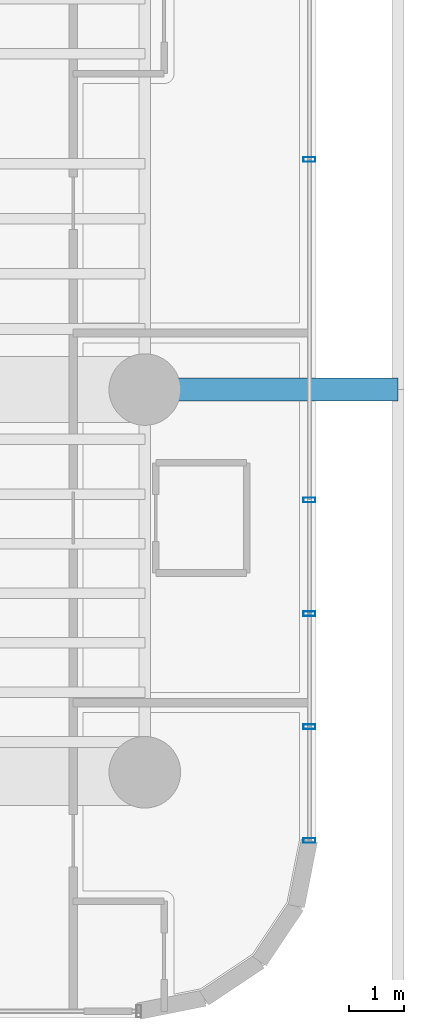
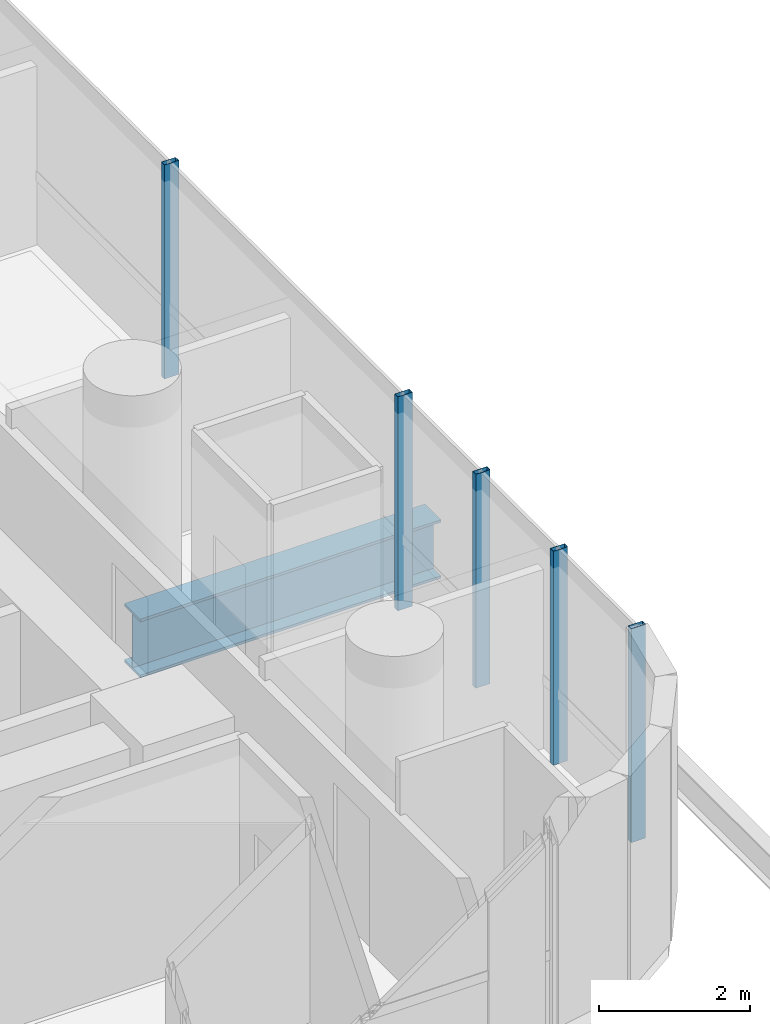
# One storey, part 31 of 50: 5 members, 1 beam, 1 element without a shape of its own.
"""IFC4 building model written with IfcOpenShell, lengths in metres."""

from ifc_helpers import new_model, si_unit, direction, frame, origin, origin_2d, place, context, subcontext, project, spatial, hollow_rectangle, i_section, extrude, source, transform, mapped, material, material_profile, profile_set, type_object, element, aggregate, save


model = new_model("IFC4")

# Units and contexts
model_context = context("Model", 3, precision=1e-05, world=origin(), true_north=direction((0.0, 1.0)))
body_context = subcontext(model_context, "Body", "Model", "MODEL_VIEW")
ifc_project = project(units=[si_unit("LENGTHUNIT", "METRE"), si_unit("AREAUNIT", "SQUARE_METRE"), si_unit("VOLUMEUNIT", "CUBIC_METRE"), si_unit("PLANEANGLEUNIT", "RADIAN"), si_unit("MASSUNIT", "GRAM", prefix="KILO")], contexts=[model_context])

# Site, building, storey
site_placement = place(None, origin())
site = spatial("IfcSite", under=ifc_project, at=site_placement, CompositionType="ELEMENT")
building_placement = place(site_placement, origin())
building = spatial("IfcBuilding", under=site, at=building_placement, Name="Valdorenza Pilgrim Sanctuary Tower", CompositionType="ELEMENT")
storey_placement = place(building_placement, frame((0.0, 0.0, 26.0)))
storey = spatial("IfcBuildingStorey", under=building, at=storey_placement, Name="L05", CompositionType="ELEMENT", Elevation=26.0)

# Beam
ifc_material_1 = material(Name="Steel ASTM A992 Grade 50", Category="steel")
ifc_material_profile_1 = material_profile(ifc_material_1, i_section(OverallWidth=0.423095703125, OverallDepth=0.947998046875, WebThickness=0.02392578125, FlangeThickness=0.042724609375, at=origin_2d()), Name="W36X302")
ifc_profile_set_1 = profile_set([ifc_material_profile_1], Name="Steel ASTM A992 Grade 50")
beam_type = type_object("IfcBeamType", Name="STR-BM-GRD-W36A", PredefinedType="BEAM", material=ifc_profile_set_1)
shared_shape_1 = source(origin(), body_context, "Body", "SweptSolid", [
    extrude(i_section(OverallWidth=0.423095703125, OverallDepth=0.947998046875, WebThickness=0.02392578125, FlangeThickness=0.042724609375, at=origin_2d()), origin(), (0.0, 0.0, 1.0), 4.60009765625),
])
beam_placement = place(storey_placement, frame((28.39990234375, -2.60009765625, -0.714111328125), z_axis=(1.0, 0.0, 0.0), x_axis=(0.0, 1.0, 0.0)))
element("IfcBeam", 1, at=beam_placement, inside=storey, type_object=beam_type, Name="L05 Floor Girder POD-E-M0", PredefinedType="BEAM", context=body_context, shape_type="MappedRepresentation", body=[
    mapped(shared_shape_1, transform((0.0, 0.0, 0.0), x_axis=(1.0, 0.0, 0.0), y_axis=(0.0, 1.0, 0.0), z_axis=(0.0, 0.0, 1.0), scale=1.0)),
])

# Curtain wall, members
ifc_material_2 = material(Name="Curtain-wall IGU glazing", Category="glass")
curtain_wall_type = type_object("IfcCurtainWallType", Name="CW-SYS-03", PredefinedType="NOTDEFINED", material=ifc_material_2)
curtain_wall_placement = place(storey_placement, origin())
curtain_wall = element("IfcCurtainWall", 2, at=curtain_wall_placement, inside=storey, type_object=curtain_wall_type, Name="L05 Curtain Wall CW-L05-1-21", PredefinedType="NOTDEFINED")
ifc_material_3 = material(Name="Anodised aluminium AW-6060", Category="aluminium")
ifc_material_profile_2 = material_profile(ifc_material_3, hollow_rectangle(XDim=0.0849609375, YDim=0.219970703125, WallThickness=0.0048828125, at=origin_2d()), Name="ALU-M 220x85x5")
ifc_profile_set_2 = profile_set([ifc_material_profile_2], Name="Anodised aluminium AW-6060")
member_type = type_object("IfcMemberType", Name="CW-MUL-03", PredefinedType="MULLION", material=ifc_profile_set_2)
shared_shape_2 = source(origin(), body_context, "Body", "SweptSolid", [
    extrude(hollow_rectangle(XDim=0.0849609375, YDim=0.219970703125, WallThickness=0.0048828125, at=origin_2d()), origin(), (0.0, 0.0, 1.0), 3.4599609375),
])
member_1_placement = place(storey_placement, frame((31.389892578125, 1.577880859375, 0.0), z_axis=(0.0, 0.0, 1.0), x_axis=(0.0, -1.0, 0.0)))
member_1 = element("IfcMember", 3, at=member_1_placement, type_object=member_type, Name="CW-L05-1-21 Mullion 3", PredefinedType="MULLION", context=body_context, shape_type="MappedRepresentation", body=[
    mapped(shared_shape_2, transform((0.0, 0.0, 0.0), x_axis=(1.0, 0.0, 0.0), y_axis=(0.0, 1.0, 0.0), z_axis=(0.0, 0.0, 1.0), scale=1.0)),
])
member_2_placement = place(storey_placement, frame((31.389892578125, -4.605712890625, 0.0), z_axis=(0.0, 0.0, 1.0), x_axis=(0.0, -1.0, 0.0)))
member_2 = element("IfcMember", 4, at=member_2_placement, type_object=member_type, Name="CW-L05-1-21 Mullion 4", PredefinedType="MULLION", context=body_context, shape_type="MappedRepresentation", body=[
    mapped(shared_shape_2, transform((0.0, 0.0, 0.0), x_axis=(1.0, 0.0, 0.0), y_axis=(0.0, 1.0, 0.0), z_axis=(0.0, 0.0, 1.0), scale=1.0)),
])
member_3_placement = place(storey_placement, frame((31.389892578125, -10.789306640625, 0.0), z_axis=(0.0, 0.0, 1.0), x_axis=(0.0, -1.0, 0.0)))
member_3 = element("IfcMember", 5, at=member_3_placement, type_object=member_type, Name="CW-L05-1-21 Mullion 5", PredefinedType="MULLION", context=body_context, shape_type="MappedRepresentation", body=[
    mapped(shared_shape_2, transform((0.0, 0.0, 0.0), x_axis=(1.0, 0.0, 0.0), y_axis=(0.0, 1.0, 0.0), z_axis=(0.0, 0.0, 1.0), scale=1.0)),
])
member_4_placement = place(storey_placement, frame((31.389892578125, -6.670166015625, 0.0), z_axis=(0.0, 0.0, 1.0), x_axis=(0.0, -1.0, 0.0)))
member_4 = element("IfcMember", 6, at=member_4_placement, type_object=member_type, Name="CW-L05-1-21 Sub-Mullion 3-1", PredefinedType="MULLION", context=body_context, shape_type="MappedRepresentation", body=[
    mapped(shared_shape_2, transform((0.0, 0.0, 0.0), x_axis=(1.0, 0.0, 0.0), y_axis=(0.0, 1.0, 0.0), z_axis=(0.0, 0.0, 1.0), scale=1.0)),
])
member_5_placement = place(storey_placement, frame((31.389892578125, -8.724609375, 0.0), z_axis=(0.0, 0.0, 1.0), x_axis=(0.0, -1.0, 0.0)))
member_5 = element("IfcMember", 7, at=member_5_placement, type_object=member_type, Name="CW-L05-1-21 Sub-Mullion 3-2", PredefinedType="MULLION", context=body_context, shape_type="MappedRepresentation", body=[
    mapped(shared_shape_2, transform((0.0, 0.0, 0.0), x_axis=(1.0, 0.0, 0.0), y_axis=(0.0, 1.0, 0.0), z_axis=(0.0, 0.0, 1.0), scale=1.0)),
])
aggregate(curtain_wall, [member_1, member_2, member_3, member_4, member_5])

save(model, "model.ifc")
